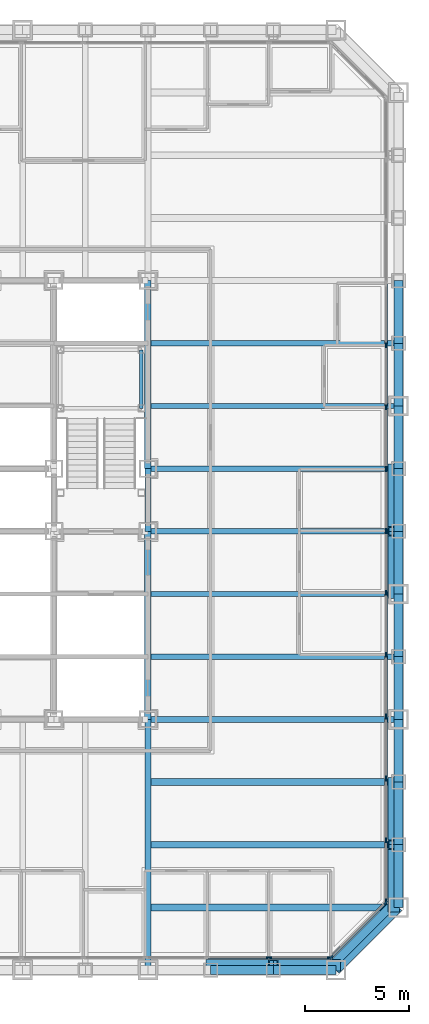
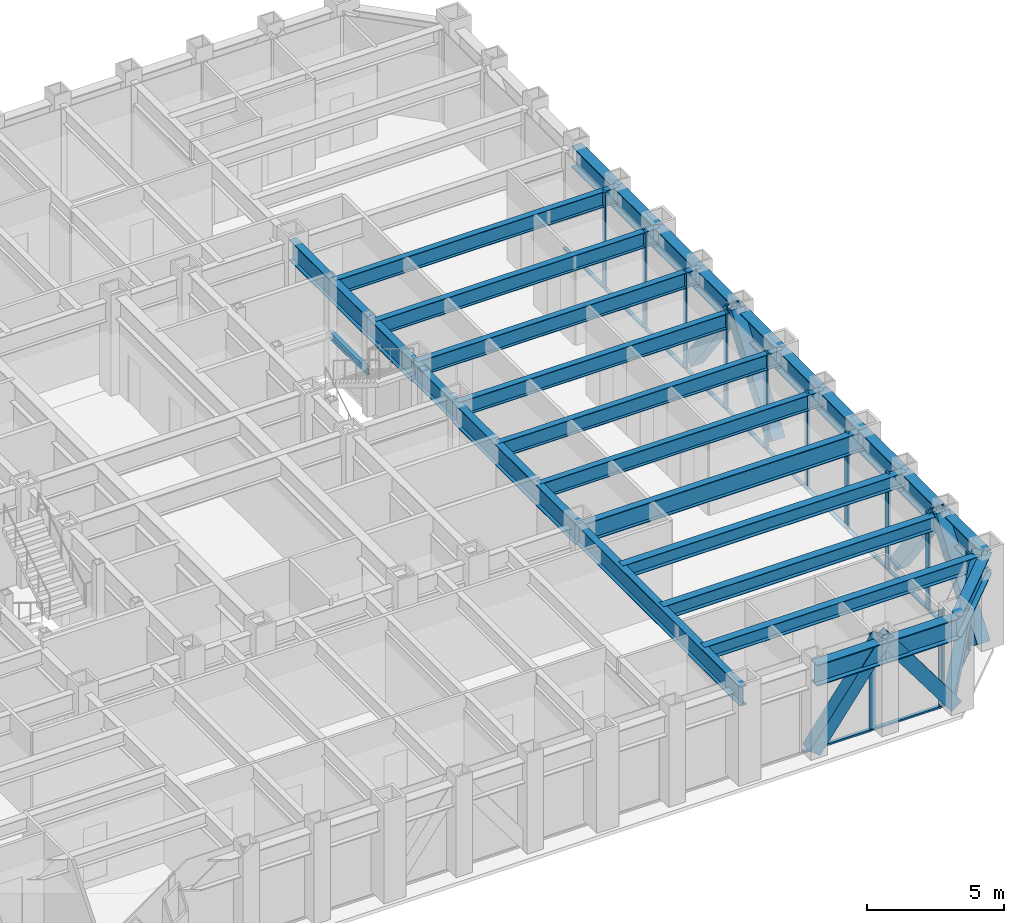
# One storey, part 4 of 16: 34 members, 28 beams, 3 elements without a shape of their own.
"""IFC4 building model written with IfcOpenShell, lengths in metres."""

from ifc_helpers import new_model, si_unit, direction, frame, origin, origin_2d, place, context, subcontext, project, spatial, rectangle, hollow_rectangle, i_section, extrude, material, layer, layer_set, material_profile, profile_set, type_object, element, aggregate, save


model = new_model("IFC4")

# Units and contexts
model_context = context("Model", 3, precision=1e-05, world=origin(), true_north=direction((0.0, 1.0)))
body_context = subcontext(model_context, "Body", "Model", "MODEL_VIEW")
ifc_project = project(units=[si_unit("LENGTHUNIT", "METRE"), si_unit("AREAUNIT", "SQUARE_METRE"), si_unit("VOLUMEUNIT", "CUBIC_METRE"), si_unit("PLANEANGLEUNIT", "RADIAN"), si_unit("MASSUNIT", "GRAM", prefix="KILO")], contexts=[model_context])

# Site, building, storey
site_placement = place(None, origin())
site = spatial("IfcSite", under=ifc_project, at=site_placement, CompositionType="ELEMENT")
building_placement = place(site_placement, origin())
building = spatial("IfcBuilding", under=site, at=building_placement, Name="Chuquiago Exchange Tower", CompositionType="ELEMENT")
storey_placement = place(building_placement, frame((0.0, 0.0, 51.300048828125)))
storey = spatial("IfcBuildingStorey", under=building, at=storey_placement, Name="L10", CompositionType="ELEMENT", Elevation=51.300048828125)

# Beams
ifc_material_1 = material(Name="Steel ASTM A992", Category="steel")
ifc_material_profile_1 = material_profile(ifc_material_1, i_section(OverallWidth=0.307373046875, OverallDepth=0.927001953125, WebThickness=0.01953125, FlangeThickness=0.031982421875, at=origin_2d()), Name="W36X194")
ifc_profile_set_1 = profile_set([ifc_material_profile_1], Name="Steel ASTM A992")
beam_type_1 = type_object("IfcBeamType", Name="B10 W36X194", PredefinedType="BEAM", material=ifc_profile_set_1)
for number, where, z_axis, x_axis, name in (
    (1, (33.0, 12.0, 3.576416015625), (0.0, 1.0, 0.0), (-1.0, 0.0, 0.0), "CB-L11-33_12-33_21"),
    (2, (33.0, 24.0, 3.576416015625), (0.0, 1.0, 0.0), (-1.0, 0.0, 0.0), "CB-L11-33_24-33_33"),
):
    element("IfcBeam", number, at=place(storey_placement, frame(where, z_axis=z_axis, x_axis=x_axis)), inside=storey, type_object=beam_type_1, Name=name, PredefinedType="BEAM", context=body_context, shape_type="SweptSolid", body=[
        extrude(i_section(OverallWidth=0.307373046875, OverallDepth=0.927001953125, WebThickness=0.01953125, FlangeThickness=0.031982421875, at=origin_2d()), origin(), (0.0, 0.0, 1.0), 9.0),
    ])
ifc_material_2 = material(Name="Steel ASTM A992", Category="steel")
ifc_material_profile_2 = material_profile(ifc_material_2, i_section(OverallWidth=0.2919921875, OverallDepth=0.8583984375, WebThickness=0.01708984375, FlangeThickness=0.031005859375, at=origin_2d()), Name="W33X169")
ifc_profile_set_2 = profile_set([ifc_material_profile_2], Name="Steel ASTM A992")
beam_type_2 = type_object("IfcBeamType", Name="B3 W33X169", PredefinedType="BEAM", material=ifc_profile_set_2)
beam_1_placement = place(storey_placement, frame((33.0, 21.0, 3.610595703125), z_axis=(0.0, 1.0, 0.0), x_axis=(-1.0, 0.0, 0.0)))
element("IfcBeam", 3, at=beam_1_placement, inside=storey, type_object=beam_type_2, Name="CB-L11-33_21-33_24", PredefinedType="BEAM", context=body_context, shape_type="SweptSolid", body=[
    extrude(i_section(OverallWidth=0.2919921875, OverallDepth=0.8583984375, WebThickness=0.01708984375, FlangeThickness=0.031005859375, at=origin_2d()), origin(), (0.0, 0.0, 1.0), 3.0),
])
ifc_material_3 = material(Name="Steel ASTM A992", Category="steel")
ifc_material_profile_3 = material_profile(ifc_material_3, i_section(OverallWidth=0.256591796875, OverallDepth=0.693359375, WebThickness=0.014404296875, FlangeThickness=0.023681640625, at=origin_2d()), Name="W27X114")
ifc_profile_set_3 = profile_set([ifc_material_profile_3], Name="Steel ASTM A992")
beam_type_3 = type_object("IfcBeamType", Name="B4 W27X114", PredefinedType="BEAM", material=ifc_profile_set_3)
for number, where, z_axis, x_axis, name in (
    (4, (33.0, 15.0, 3.693359375), (1.0, 0.0, 0.0), (0.0, 1.0, 0.0), "FB-L11-infill-33_15-45_15-0"),
    (5, (33.0, 18.0, 3.693359375), (1.0, 0.0, 0.0), (0.0, 1.0, 0.0), "FB-L11-infill-33_18-45_18-0"),
    (6, (33.0, 21.0, 3.693359375), (1.0, 0.0, 0.0), (0.0, 1.0, 0.0), "FB-L11-infill-33_21-45_21-0"),
    (7, (33.0, 24.0, 3.693359375), (1.0, 0.0, 0.0), (0.0, 1.0, 0.0), "FB-L11-infill-33_24-45_24-0"),
    (8, (33.0, 27.0, 3.693359375), (1.0, 0.0, 0.0), (0.0, 1.0, 0.0), "FB-L11-infill-33_27-45_27-0"),
    (9, (33.0, 30.0, 3.693359375), (1.0, 0.0, 0.0), (0.0, 1.0, 0.0), "FB-L11-infill-33_30-45_30-0"),
):
    element("IfcBeam", number, at=place(storey_placement, frame(where, z_axis=z_axis, x_axis=x_axis)), inside=storey, type_object=beam_type_3, Name=name, PredefinedType="BEAM", context=body_context, shape_type="SweptSolid", body=[
        extrude(i_section(OverallWidth=0.256591796875, OverallDepth=0.693359375, WebThickness=0.014404296875, FlangeThickness=0.023681640625, at=origin_2d()), origin(), (0.0, 0.0, 1.0), 12.0),
    ])
ifc_material_4 = material(Name="Steel ASTM A992", Category="steel")
ifc_material_profile_4 = material_profile(ifc_material_4, i_section(OverallWidth=0.3251953125, OverallDepth=0.6171875, WebThickness=0.013916015625, FlangeThickness=0.021484375, at=origin_2d()), Name="W24X117")
ifc_profile_set_4 = profile_set([ifc_material_profile_4], Name="Steel ASTM A992")
beam_type_4 = type_object("IfcBeamType", Name="B5 W24X117", PredefinedType="BEAM", material=ifc_profile_set_4)
for number, where, z_axis, x_axis, name in (
    (10, (33.0, 3.0, 3.7314453125), (1.0, 0.0, 0.0), (0.0, 1.0, 0.0), "FB-L11-corner-33_3-45_3-0"),
    (11, (33.0, 6.0, 3.7314453125), (1.0, 0.0, 0.0), (0.0, 1.0, 0.0), "FB-L11-corner-33_6-45_6-0"),
    (12, (33.0, 9.0, 3.7314453125), (1.0, 0.0, 0.0), (0.0, 1.0, 0.0), "FB-L11-corner-33_9-45_9-0"),
):
    element("IfcBeam", number, at=place(storey_placement, frame(where, z_axis=z_axis, x_axis=x_axis)), inside=storey, type_object=beam_type_4, Name=name, PredefinedType="BEAM", context=body_context, shape_type="SweptSolid", body=[
        extrude(i_section(OverallWidth=0.3251953125, OverallDepth=0.6171875, WebThickness=0.013916015625, FlangeThickness=0.021484375, at=origin_2d()), origin(), (0.0, 0.0, 1.0), 12.0),
    ])

# Curtain wall, members
ifc_material_5 = material(Name="Aluminium curtain wall system", Category="aluminium")
ifc_layer_1 = layer(ifc_material_5, 0.25)
ifc_layer_set_1 = layer_set([ifc_layer_1], Name="CW1 trading floor curtain wall")
curtain_wall_type_1 = type_object("IfcCurtainWallType", Name="CW1 trading floor curtain wall", PredefinedType="NOTDEFINED", material=ifc_layer_set_1)
curtain_wall_1_placement = place(storey_placement, origin())
curtain_wall_1 = element("IfcCurtainWall", 13, at=curtain_wall_1_placement, inside=storey, type_object=curtain_wall_type_1, Name="CW1 curtain wall L10", PredefinedType="NOTDEFINED")
ifc_material_6 = material(Name="Aluminium mullion, pale anodised", Category="aluminium")
ifc_material_profile_5 = material_profile(ifc_material_6, rectangle(XDim=0.074951171875, YDim=0.25, at=origin_2d()), Name="AL 75x250")
ifc_profile_set_5 = profile_set([ifc_material_profile_5], Name="Aluminium mullion, pale anodised")
member_type_1 = type_object("IfcMemberType", Name="CW1-M mullion 75x250", PredefinedType="MULLION", material=ifc_profile_set_5)
member_1_placement = place(storey_placement, frame((38.789794921875, 0.60009765625, -0.300048828125), z_axis=(0.0, 0.0, 1.0), x_axis=(0.0, 1.0, 0.0)))
member_1 = element("IfcMember", 14, at=member_1_placement, type_object=member_type_1, Name="CW1 mullion 13", PredefinedType="MULLION", context=body_context, shape_type="SweptSolid", body=[
    extrude(rectangle(XDim=0.074951171875, YDim=0.25, at=origin_2d()), origin(), (0.0, 0.0, 1.0), 4.340087890625),
])
member_2_placement = place(storey_placement, frame((41.714111328125, 0.60009765625, -0.300048828125), z_axis=(0.0, 0.0, 1.0), x_axis=(0.0, 1.0, 0.0)))
member_2 = element("IfcMember", 15, at=member_2_placement, type_object=member_type_1, Name="CW1 mullion 14", PredefinedType="MULLION", context=body_context, shape_type="SweptSolid", body=[
    extrude(rectangle(XDim=0.074951171875, YDim=0.25, at=origin_2d()), origin(), (0.0, 0.0, 1.0), 4.340087890625),
])

curtain_wall_2_placement = place(storey_placement, origin())
curtain_wall_2 = element("IfcCurtainWall", 16, at=curtain_wall_2_placement, inside=storey, type_object=curtain_wall_type_1, Name="CW1 curtain wall L10", PredefinedType="NOTDEFINED")
member_3_placement = place(storey_placement, frame((44.39990234375, 3.285888671875, -0.300048828125), z_axis=(0.0, 0.0, 1.0), x_axis=(-1.0, 0.0, 0.0)))
member_3 = element("IfcMember", 17, at=member_3_placement, type_object=member_type_1, Name="CW1 mullion 1", PredefinedType="MULLION", context=body_context, shape_type="SweptSolid", body=[
    extrude(rectangle(XDim=0.074951171875, YDim=0.25, at=origin_2d()), origin(), (0.0, 0.0, 1.0), 4.340087890625),
])
member_4_placement = place(storey_placement, frame((44.39990234375, 6.210205078125, -0.300048828125), z_axis=(0.0, 0.0, 1.0), x_axis=(-1.0, 0.0, 0.0)))
member_4 = element("IfcMember", 18, at=member_4_placement, type_object=member_type_1, Name="CW1 mullion 2", PredefinedType="MULLION", context=body_context, shape_type="SweptSolid", body=[
    extrude(rectangle(XDim=0.074951171875, YDim=0.25, at=origin_2d()), origin(), (0.0, 0.0, 1.0), 4.340087890625),
])
member_5_placement = place(storey_placement, frame((44.39990234375, 9.172119140625, -0.300048828125), z_axis=(0.0, 0.0, 1.0), x_axis=(-1.0, 0.0, 0.0)))
member_5 = element("IfcMember", 19, at=member_5_placement, type_object=member_type_1, Name="CW1 mullion 3", PredefinedType="MULLION", context=body_context, shape_type="SweptSolid", body=[
    extrude(rectangle(XDim=0.074951171875, YDim=0.25, at=origin_2d()), origin(), (0.0, 0.0, 1.0), 4.340087890625),
])
member_6_placement = place(storey_placement, frame((44.39990234375, 12.1337890625, -0.300048828125), z_axis=(0.0, 0.0, 1.0), x_axis=(-1.0, 0.0, 0.0)))
member_6 = element("IfcMember", 20, at=member_6_placement, type_object=member_type_1, Name="CW1 mullion 4", PredefinedType="MULLION", context=body_context, shape_type="SweptSolid", body=[
    extrude(rectangle(XDim=0.074951171875, YDim=0.25, at=origin_2d()), origin(), (0.0, 0.0, 1.0), 4.340087890625),
])
member_7_placement = place(storey_placement, frame((44.39990234375, 15.095458984375, -0.300048828125), z_axis=(0.0, 0.0, 1.0), x_axis=(-1.0, 0.0, 0.0)))
member_7 = element("IfcMember", 21, at=member_7_placement, type_object=member_type_1, Name="CW1 mullion 5", PredefinedType="MULLION", context=body_context, shape_type="SweptSolid", body=[
    extrude(rectangle(XDim=0.074951171875, YDim=0.25, at=origin_2d()), origin(), (0.0, 0.0, 1.0), 4.340087890625),
])
member_8_placement = place(storey_placement, frame((44.39990234375, 18.057373046875, -0.300048828125), z_axis=(0.0, 0.0, 1.0), x_axis=(-1.0, 0.0, 0.0)))
member_8 = element("IfcMember", 22, at=member_8_placement, type_object=member_type_1, Name="CW1 mullion 6", PredefinedType="MULLION", context=body_context, shape_type="SweptSolid", body=[
    extrude(rectangle(XDim=0.074951171875, YDim=0.25, at=origin_2d()), origin(), (0.0, 0.0, 1.0), 4.340087890625),
])
member_9_placement = place(storey_placement, frame((44.39990234375, 21.01904296875, -0.300048828125), z_axis=(0.0, 0.0, 1.0), x_axis=(-1.0, 0.0, 0.0)))
member_9 = element("IfcMember", 23, at=member_9_placement, type_object=member_type_1, Name="CW1 mullion 7", PredefinedType="MULLION", context=body_context, shape_type="SweptSolid", body=[
    extrude(rectangle(XDim=0.074951171875, YDim=0.25, at=origin_2d()), origin(), (0.0, 0.0, 1.0), 4.340087890625),
])
member_10_placement = place(storey_placement, frame((44.39990234375, 23.98095703125, -0.300048828125), z_axis=(0.0, 0.0, 1.0), x_axis=(-1.0, 0.0, 0.0)))
member_10 = element("IfcMember", 24, at=member_10_placement, type_object=member_type_1, Name="CW1 mullion 8", PredefinedType="MULLION", context=body_context, shape_type="SweptSolid", body=[
    extrude(rectangle(XDim=0.074951171875, YDim=0.25, at=origin_2d()), origin(), (0.0, 0.0, 1.0), 4.340087890625),
])
member_11_placement = place(storey_placement, frame((44.39990234375, 26.942626953125, -0.300048828125), z_axis=(0.0, 0.0, 1.0), x_axis=(-1.0, 0.0, 0.0)))
member_11 = element("IfcMember", 25, at=member_11_placement, type_object=member_type_1, Name="CW1 mullion 9", PredefinedType="MULLION", context=body_context, shape_type="SweptSolid", body=[
    extrude(rectangle(XDim=0.074951171875, YDim=0.25, at=origin_2d()), origin(), (0.0, 0.0, 1.0), 4.340087890625),
])
member_12_placement = place(storey_placement, frame((44.39990234375, 29.904541015625, -0.300048828125), z_axis=(0.0, 0.0, 1.0), x_axis=(-1.0, 0.0, 0.0)))
member_12 = element("IfcMember", 26, at=member_12_placement, type_object=member_type_1, Name="CW1 mullion 10", PredefinedType="MULLION", context=body_context, shape_type="SweptSolid", body=[
    extrude(rectangle(XDim=0.074951171875, YDim=0.25, at=origin_2d()), origin(), (0.0, 0.0, 1.0), 4.340087890625),
])

# Member
ifc_material_7 = material(Name="Aluminium transom, pale anodised", Category="aluminium")
ifc_material_profile_6 = material_profile(ifc_material_7, rectangle(XDim=0.14990234375, YDim=0.074951171875, at=origin_2d()), Name="AL 150x75")
ifc_profile_set_6 = profile_set([ifc_material_profile_6], Name="Aluminium transom, pale anodised")
member_type_2 = type_object("IfcMemberType", Name="CW1-T transom 75x150", PredefinedType="MULLION", material=ifc_profile_set_6)
member_13_placement = place(storey_placement, frame((35.865478515625, 0.60009765625, -0.262451171875), z_axis=(1.0, 0.0, 0.0), x_axis=(0.0, 1.0, 0.0)))
member_13 = element("IfcMember", 27, at=member_13_placement, type_object=member_type_2, Name="CW1 transom 12.1", PredefinedType="MULLION", context=body_context, shape_type="SweptSolid", body=[
    extrude(rectangle(XDim=0.14990234375, YDim=0.074951171875, at=origin_2d()), origin(), (0.0, 0.0, 1.0), 2.88671875),
])

member_14_placement = place(storey_placement, frame((38.8271484375, 0.60009765625, -0.262451171875), z_axis=(1.0, 0.0, 0.0), x_axis=(0.0, 1.0, 0.0)))
member_14 = element("IfcMember", 28, at=member_14_placement, type_object=member_type_2, Name="CW1 transom 13.1", PredefinedType="MULLION", context=body_context, shape_type="SweptSolid", body=[
    extrude(rectangle(XDim=0.14990234375, YDim=0.074951171875, at=origin_2d()), origin(), (0.0, 0.0, 1.0), 2.849365234375),
])

aggregate(curtain_wall_1, [member_1, member_2, member_13, member_14])

member_15_placement = place(storey_placement, frame((44.39990234375, 3.323486328125, -0.262451171875), z_axis=(0.0, 1.0, 0.0), x_axis=(-1.0, 0.0, 0.0)))
member_15 = element("IfcMember", 29, at=member_15_placement, type_object=member_type_2, Name="CW1 transom 1.1", PredefinedType="MULLION", context=body_context, shape_type="SweptSolid", body=[
    extrude(rectangle(XDim=0.14990234375, YDim=0.074951171875, at=origin_2d()), origin(), (0.0, 0.0, 1.0), 2.849365234375),
])

member_16_placement = place(storey_placement, frame((44.39990234375, 6.247802734375, -0.262451171875), z_axis=(0.0, 1.0, 0.0), x_axis=(-1.0, 0.0, 0.0)))
member_16 = element("IfcMember", 30, at=member_16_placement, type_object=member_type_2, Name="CW1 transom 2.1", PredefinedType="MULLION", context=body_context, shape_type="SweptSolid", body=[
    extrude(rectangle(XDim=0.14990234375, YDim=0.074951171875, at=origin_2d()), origin(), (0.0, 0.0, 1.0), 2.88671875),
])

member_17_placement = place(storey_placement, frame((44.39990234375, 9.20947265625, -0.262451171875), z_axis=(0.0, 1.0, 0.0), x_axis=(-1.0, 0.0, 0.0)))
member_17 = element("IfcMember", 31, at=member_17_placement, type_object=member_type_2, Name="CW1 transom 3.1", PredefinedType="MULLION", context=body_context, shape_type="SweptSolid", body=[
    extrude(rectangle(XDim=0.14990234375, YDim=0.074951171875, at=origin_2d()), origin(), (0.0, 0.0, 1.0), 2.88671875),
])

member_18_placement = place(storey_placement, frame((44.39990234375, 12.17138671875, -0.262451171875), z_axis=(0.0, 1.0, 0.0), x_axis=(-1.0, 0.0, 0.0)))
member_18 = element("IfcMember", 32, at=member_18_placement, type_object=member_type_2, Name="CW1 transom 4.1", PredefinedType="MULLION", context=body_context, shape_type="SweptSolid", body=[
    extrude(rectangle(XDim=0.14990234375, YDim=0.074951171875, at=origin_2d()), origin(), (0.0, 0.0, 1.0), 2.88671875),
])

member_19_placement = place(storey_placement, frame((44.39990234375, 15.133056640625, -0.262451171875), z_axis=(0.0, 1.0, 0.0), x_axis=(-1.0, 0.0, 0.0)))
member_19 = element("IfcMember", 33, at=member_19_placement, type_object=member_type_2, Name="CW1 transom 5.1", PredefinedType="MULLION", context=body_context, shape_type="SweptSolid", body=[
    extrude(rectangle(XDim=0.14990234375, YDim=0.074951171875, at=origin_2d()), origin(), (0.0, 0.0, 1.0), 2.88671875),
])

member_20_placement = place(storey_placement, frame((44.39990234375, 18.0947265625, -0.262451171875), z_axis=(0.0, 1.0, 0.0), x_axis=(-1.0, 0.0, 0.0)))
member_20 = element("IfcMember", 34, at=member_20_placement, type_object=member_type_2, Name="CW1 transom 6.1", PredefinedType="MULLION", context=body_context, shape_type="SweptSolid", body=[
    extrude(rectangle(XDim=0.14990234375, YDim=0.074951171875, at=origin_2d()), origin(), (0.0, 0.0, 1.0), 2.886962890625),
])

member_21_placement = place(storey_placement, frame((44.39990234375, 21.056640625, -0.262451171875), z_axis=(0.0, 1.0, 0.0), x_axis=(-1.0, 0.0, 0.0)))
member_21 = element("IfcMember", 35, at=member_21_placement, type_object=member_type_2, Name="CW1 transom 7.1", PredefinedType="MULLION", context=body_context, shape_type="SweptSolid", body=[
    extrude(rectangle(XDim=0.14990234375, YDim=0.074951171875, at=origin_2d()), origin(), (0.0, 0.0, 1.0), 2.88671875),
])

member_22_placement = place(storey_placement, frame((44.39990234375, 24.018310546875, -0.262451171875), z_axis=(0.0, 1.0, 0.0), x_axis=(-1.0, 0.0, 0.0)))
member_22 = element("IfcMember", 36, at=member_22_placement, type_object=member_type_2, Name="CW1 transom 8.1", PredefinedType="MULLION", context=body_context, shape_type="SweptSolid", body=[
    extrude(rectangle(XDim=0.14990234375, YDim=0.074951171875, at=origin_2d()), origin(), (0.0, 0.0, 1.0), 2.886962890625),
])

member_23_placement = place(storey_placement, frame((44.39990234375, 26.980224609375, -0.262451171875), z_axis=(0.0, 1.0, 0.0), x_axis=(-1.0, 0.0, 0.0)))
member_23 = element("IfcMember", 37, at=member_23_placement, type_object=member_type_2, Name="CW1 transom 9.1", PredefinedType="MULLION", context=body_context, shape_type="SweptSolid", body=[
    extrude(rectangle(XDim=0.14990234375, YDim=0.074951171875, at=origin_2d()), origin(), (0.0, 0.0, 1.0), 2.88671875),
])

member_24_placement = place(storey_placement, frame((44.39990234375, 29.94189453125, -0.262451171875), z_axis=(0.0, 1.0, 0.0), x_axis=(-1.0, 0.0, 0.0)))
member_24 = element("IfcMember", 38, at=member_24_placement, type_object=member_type_2, Name="CW1 transom 10.1", PredefinedType="MULLION", context=body_context, shape_type="SweptSolid", body=[
    extrude(rectangle(XDim=0.14990234375, YDim=0.074951171875, at=origin_2d()), origin(), (0.0, 0.0, 1.0), 2.88671875),
])

aggregate(curtain_wall_2, [member_3, member_4, member_5, member_6, member_7, member_8, member_9, member_10, member_11, member_12, member_15, member_16, member_17, member_18, member_19, member_20, member_21, member_22, member_23, member_24])

# Curtain wall, members
ifc_material_8 = material(Name="Aluminium curtain wall system", Category="aluminium")
ifc_layer_2 = layer(ifc_material_8, 0.199951171875)
ifc_layer_set_2 = layer_set([ifc_layer_2], Name="CW3 facet curtain wall")
curtain_wall_type_2 = type_object("IfcCurtainWallType", Name="CW3 facet curtain wall", PredefinedType="NOTDEFINED", material=ifc_layer_set_2)
curtain_wall_3_placement = place(storey_placement, origin())
curtain_wall_3 = element("IfcCurtainWall", 39, at=curtain_wall_3_placement, inside=storey, type_object=curtain_wall_type_2, Name="CW3 curtain wall L10", PredefinedType="NOTDEFINED")
ifc_material_9 = material(Name="Aluminium mullion, pale anodised", Category="aluminium")
ifc_material_profile_7 = material_profile(ifc_material_9, rectangle(XDim=0.06494140625, YDim=0.199951171875, at=origin_2d()), Name="AL 65x200")
ifc_profile_set_7 = profile_set([ifc_material_profile_7], Name="Aluminium mullion, pale anodised")
member_type_3 = type_object("IfcMemberType", Name="CW3-M mullion 65x200", PredefinedType="MULLION", material=ifc_profile_set_7)
member_25_placement = place(storey_placement, frame((41.7744140625, 0.623046875, -0.300048828125), z_axis=(0.0, 0.0, 1.0), x_axis=(-0.707106781187, 0.707106781187, 0.0)))
member_25 = element("IfcMember", 40, at=member_25_placement, type_object=member_type_3, Name="CW3 mullion 1", PredefinedType="MULLION", context=body_context, shape_type="SweptSolid", body=[
    extrude(rectangle(XDim=0.06494140625, YDim=0.199951171875, at=origin_2d()), origin(), (0.0, 0.0, 1.0), 4.340087890625),
])
member_26_placement = place(storey_placement, frame((44.376953125, 3.2255859375, -0.300048828125), z_axis=(0.0, 0.0, 1.0), x_axis=(-0.707106781187, 0.707106781187, 0.0)))
member_26 = element("IfcMember", 41, at=member_26_placement, type_object=member_type_3, Name="CW3 mullion 2", PredefinedType="MULLION", context=body_context, shape_type="SweptSolid", body=[
    extrude(rectangle(XDim=0.06494140625, YDim=0.199951171875, at=origin_2d()), origin(), (0.0, 0.0, 1.0), 4.340087890625),
])
ifc_material_10 = material(Name="Aluminium transom, pale anodised", Category="aluminium")
ifc_material_profile_8 = material_profile(ifc_material_10, rectangle(XDim=0.139892578125, YDim=0.06494140625, at=origin_2d()), Name="AL 140x65")
ifc_profile_set_8 = profile_set([ifc_material_profile_8], Name="Aluminium transom, pale anodised")
member_type_4 = type_object("IfcMemberType", Name="CW3-T transom 65x140", PredefinedType="MULLION", material=ifc_profile_set_8)
member_27_placement = place(storey_placement, frame((41.79736328125, 0.64599609375, -0.267578125), z_axis=(0.707106781187, 0.707106781187, 0.0), x_axis=(-0.707106781187, 0.707106781187, 0.0)))
member_27 = element("IfcMember", 42, at=member_27_placement, type_object=member_type_4, Name="CW3 transom 1.1", PredefinedType="MULLION", context=body_context, shape_type="SweptSolid", body=[
    extrude(rectangle(XDim=0.139892578125, YDim=0.06494140625, at=origin_2d()), origin(), (0.0, 0.0, 1.0), 3.61572265625),
])
aggregate(curtain_wall_3, [member_25, member_26, member_27])

# Beams
ifc_material_11 = material(Name="Steel ASTM A992", Category="steel")
ifc_material_profile_9 = material_profile(ifc_material_11, i_section(OverallWidth=0.2919921875, OverallDepth=0.8583984375, WebThickness=0.01708984375, FlangeThickness=0.031005859375, at=origin_2d()), Name="W33X169")
ifc_profile_set_9 = profile_set([ifc_material_profile_9], Name="Steel ASTM A992")
beam_type_5 = type_object("IfcBeamType", Name="G2 W33X169", PredefinedType="BEAM", material=ifc_profile_set_9)
for number, where, z_axis, x_axis, name in (
    (43, (33.0, 12.0, 3.610595703125), (0.0, -1.0, 0.0), (1.0, 0.0, 0.0), "FB-L11-girder-33_12-33_-0-0"),
    (44, (33.0, 12.0, 3.610595703125), (1.0, 0.0, 0.0), (0.0, 1.0, 0.0), "FB-L11-girder-33_12-45_12-0"),
):
    element("IfcBeam", number, at=place(storey_placement, frame(where, z_axis=z_axis, x_axis=x_axis)), inside=storey, type_object=beam_type_5, Name=name, PredefinedType="BEAM", context=body_context, shape_type="SweptSolid", body=[
        extrude(i_section(OverallWidth=0.2919921875, OverallDepth=0.8583984375, WebThickness=0.01708984375, FlangeThickness=0.031005859375, at=origin_2d()), origin(), (0.0, 0.0, 1.0), 12.0),
    ])

# Member
ifc_material_12 = material(Name="Steel ASTM A500 Grade C", Category="steel")
ifc_material_profile_10 = material_profile(ifc_material_12, hollow_rectangle(XDim=0.406494140625, YDim=0.406494140625, WallThickness=0.0146484375, at=origin_2d()), Name="HSS16X16X5/8")
ifc_profile_set_10 = profile_set([ifc_material_profile_10], Name="Steel ASTM A500 Grade C")
member_type_5 = type_object("IfcMemberType", Name="LB4 HSS16X16X5/8", PredefinedType="BRACE", material=ifc_profile_set_10)
member_28_placement = place(storey_placement, frame((41.78662109375, 0.21337890625, 0.0), z_axis=(0.512077265487, 0.512077265487, 0.689604051861), x_axis=(-0.707106781187, 0.707106781187, 0.0)))
element("IfcMember", 45, at=member_28_placement, inside=storey, type_object=member_type_5, Name="LB-L10-42_0-45_3", PredefinedType="BRACE", context=body_context, shape_type="SweptSolid", body=[
    extrude(hollow_rectangle(XDim=0.406494140625, YDim=0.406494140625, WallThickness=0.0146484375, at=origin_2d()), origin(), (0.0, 0.0, 1.0), 5.8583984375),
])

# Beam
ifc_material_13 = material(Name="Steel ASTM A992", Category="steel")
ifc_material_profile_11 = material_profile(ifc_material_13, i_section(OverallWidth=0.164794921875, OverallDepth=0.309814453125, WebThickness=0.005859375, FlangeThickness=0.009765625, at=origin_2d()), Name="W12X26")
ifc_profile_set_11 = profile_set([ifc_material_profile_11], Name="Steel ASTM A992")
beam_type_6 = type_object("IfcBeamType", Name="LS1 W12X26", PredefinedType="BEAM", material=ifc_profile_set_11)
beam_2_placement = place(storey_placement, frame((32.68994140625, 26.889892578125, 1.89501953125), z_axis=(0.0, 1.0, 0.0), x_axis=(-1.0, 0.0, 0.0)))
element("IfcBeam", 46, at=beam_2_placement, inside=storey, type_object=beam_type_6, Name="Stair ST2 L10 landing 1 stringer", PredefinedType="BEAM", context=body_context, shape_type="SweptSolid", body=[
    extrude(i_section(OverallWidth=0.164794921875, OverallDepth=0.309814453125, WebThickness=0.005859375, FlangeThickness=0.009765625, at=origin_2d()), origin(), (0.0, 0.0, 1.0), 2.800048828125),
])

# Members
ifc_material_14 = material(Name="Steel ASTM A572 Grade 50", Category="steel")
ifc_material_profile_12 = material_profile(ifc_material_14, hollow_rectangle(XDim=0.550048828125, YDim=0.550048828125, WallThickness=0.044921875, at=origin_2d()), Name="BOX550X550X45")
ifc_profile_set_12 = profile_set([ifc_material_profile_12], Name="Steel ASTM A572 Grade 50")
member_type_6 = type_object("IfcMemberType", Name="MB1 BOX550X550X45", PredefinedType="BRACE", material=ifc_profile_set_12)
for number, where, z_axis, x_axis, name in (
    (47, (36.0, 0.22998046875, 0.0), (0.596173923302, 0.0, 0.802855312728), (0.0, 1.0, 0.0), "Mega diagonal L10 S face"),
    (48, (42.0, 0.22998046875, 0.0), (-0.596173923302, 0.0, 0.802855312728), (0.0, -1.0, 0.0), "Mega diagonal L10 S face"),
    (49, (44.77001953125, 3.0, 0.0), (0.0, 0.596173923302, 0.802855312728), (-1.0, 0.0, 0.0), "Mega diagonal L10 E face"),
    (50, (44.77001953125, 9.0, 0.0), (0.0, -0.596173923302, 0.802855312728), (1.0, 0.0, 0.0), "Mega diagonal L10 E face"),
    (51, (44.77001953125, 18.0, 0.0), (0.0, 0.596173923302, 0.802855312728), (-1.0, 0.0, 0.0), "Mega diagonal L10 E face"),
    (52, (44.77001953125, 24.0, 0.0), (0.0, -0.596173923302, 0.802855312728), (1.0, 0.0, 0.0), "Mega diagonal L10 E face"),
):
    element("IfcMember", number, at=place(storey_placement, frame(where, z_axis=z_axis, x_axis=x_axis)), inside=storey, type_object=member_type_6, Name=name, PredefinedType="BRACE", context=body_context, shape_type="SweptSolid", body=[
        extrude(hollow_rectangle(XDim=0.550048828125, YDim=0.550048828125, WallThickness=0.044921875, at=origin_2d()), origin(), (0.0, 0.0, 1.0), 5.031982421875),
    ])

# Beams
ifc_material_15 = material(Name="Steel ASTM A992", Category="steel")
ifc_material_profile_13 = material_profile(ifc_material_15, i_section(OverallWidth=0.424072265625, OverallDepth=0.947509765625, WebThickness=0.02392578125, FlangeThickness=0.042724609375, at=origin_2d()), Name="W36X302")
ifc_profile_set_13 = profile_set([ifc_material_profile_13], Name="Steel ASTM A992")
beam_type_7 = type_object("IfcBeamType", Name="SP1 W36X302", PredefinedType="SPANDREL", material=ifc_profile_set_13)
for number, where, z_axis, x_axis, name in (
    (53, (36.0, 0.0, 3.566162109375), (1.0, 0.0, 0.0), (0.0, 1.0, 0.0), "SPB-L11-36_0-39_0"),
    (54, (39.0, 0.0, 3.566162109375), (1.0, 0.0, 0.0), (0.0, 1.0, 0.0), "SPB-L11-39_0-42_0"),
):
    element("IfcBeam", number, at=place(storey_placement, frame(where, z_axis=z_axis, x_axis=x_axis)), inside=storey, type_object=beam_type_7, Name=name, PredefinedType="SPANDREL", context=body_context, shape_type="SweptSolid", body=[
        extrude(i_section(OverallWidth=0.424072265625, OverallDepth=0.947509765625, WebThickness=0.02392578125, FlangeThickness=0.042724609375, at=origin_2d()), origin(), (0.0, 0.0, 1.0), 3.0),
    ])
beam_3_placement = place(storey_placement, frame((42.0, 0.0, 3.566162109375), z_axis=(0.707106781187, 0.707106781187, 0.0), x_axis=(-0.707106781187, 0.707106781187, 0.0)))
element("IfcBeam", 55, at=beam_3_placement, inside=storey, type_object=beam_type_7, Name="SPB-L11-42_0-45_3", PredefinedType="SPANDREL", context=body_context, shape_type="SweptSolid", body=[
    extrude(i_section(OverallWidth=0.424072265625, OverallDepth=0.947509765625, WebThickness=0.02392578125, FlangeThickness=0.042724609375, at=origin_2d()), origin(), (0.0, 0.0, 1.0), 4.24267578125),
])
for number, where, z_axis, x_axis, name in (
    (56, (45.0, 3.0, 3.566162109375), (0.0, 1.0, 0.0), (-1.0, 0.0, 0.0), "SPB-L11-45_3-45_6"),
    (57, (45.0, 6.0, 3.566162109375), (0.0, 1.0, 0.0), (-1.0, 0.0, 0.0), "SPB-L11-45_6-45_9"),
    (58, (45.0, 9.0, 3.566162109375), (0.0, 1.0, 0.0), (-1.0, 0.0, 0.0), "SPB-L11-45_9-45_12"),
    (59, (45.0, 12.0, 3.566162109375), (0.0, 1.0, 0.0), (-1.0, 0.0, 0.0), "SPB-L11-45_12-45_15"),
    (60, (45.0, 15.0, 3.566162109375), (0.0, 1.0, 0.0), (-1.0, 0.0, 0.0), "SPB-L11-45_15-45_18"),
    (61, (45.0, 18.0, 3.566162109375), (0.0, 1.0, 0.0), (-1.0, 0.0, 0.0), "SPB-L11-45_18-45_21"),
    (62, (45.0, 21.0, 3.566162109375), (0.0, 1.0, 0.0), (-1.0, 0.0, 0.0), "SPB-L11-45_21-45_24"),
    (63, (45.0, 24.0, 3.566162109375), (0.0, 1.0, 0.0), (-1.0, 0.0, 0.0), "SPB-L11-45_24-45_27"),
    (64, (45.0, 27.0, 3.566162109375), (0.0, 1.0, 0.0), (-1.0, 0.0, 0.0), "SPB-L11-45_27-45_30"),
    (65, (45.0, 30.0, 3.566162109375), (0.0, 1.0, 0.0), (-1.0, 0.0, 0.0), "SPB-L11-45_30-45_33"),
):
    element("IfcBeam", number, at=place(storey_placement, frame(where, z_axis=z_axis, x_axis=x_axis)), inside=storey, type_object=beam_type_7, Name=name, PredefinedType="SPANDREL", context=body_context, shape_type="SweptSolid", body=[
        extrude(i_section(OverallWidth=0.424072265625, OverallDepth=0.947509765625, WebThickness=0.02392578125, FlangeThickness=0.042724609375, at=origin_2d()), origin(), (0.0, 0.0, 1.0), 3.0),
    ])

save(model, "model.ifc")
